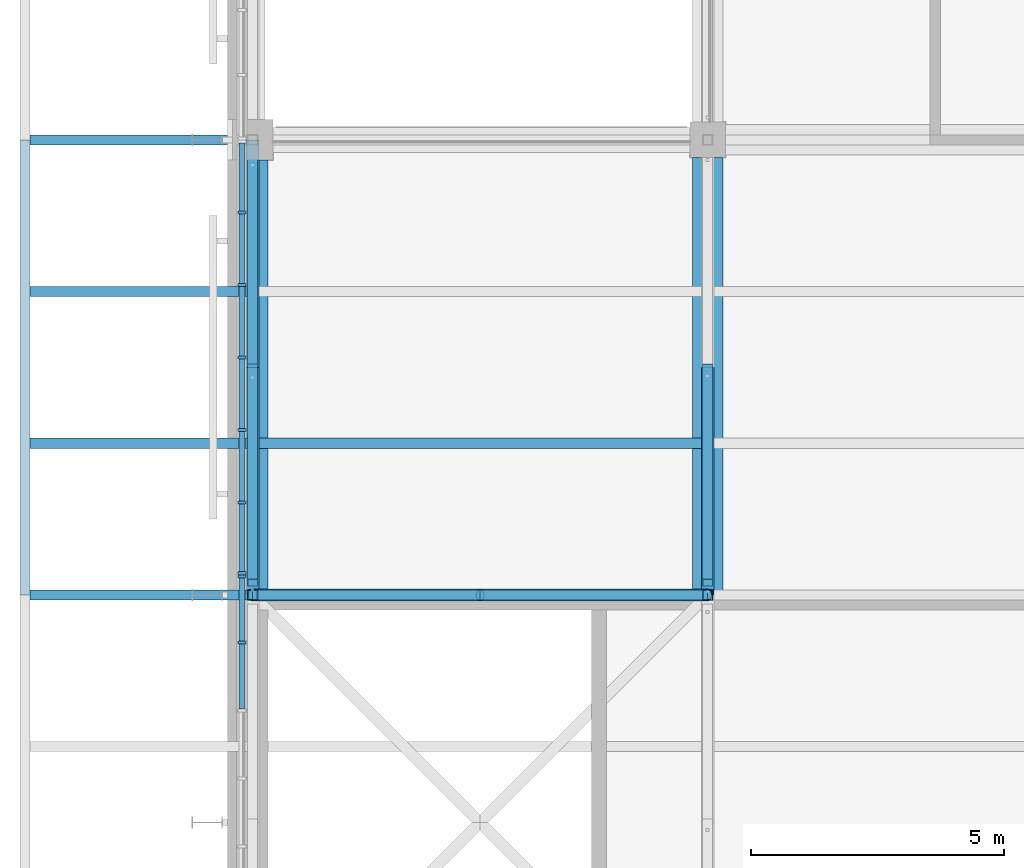
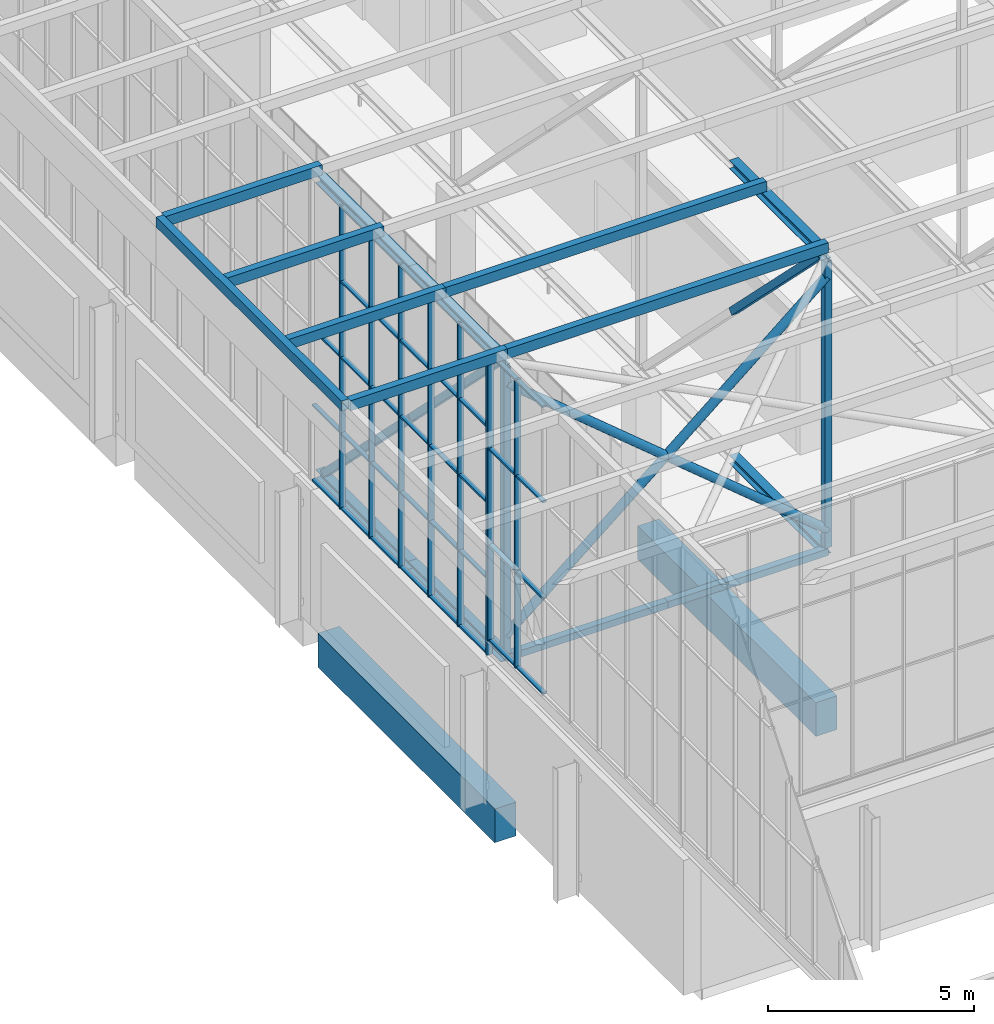
# One storey, part 13 of 646: 70 members, 2 beams, 2 elements without a shape of their own.
"""IFC4 building model written with IfcOpenShell, lengths in metres."""

from ifc_helpers import new_model, si_unit, direction, frame, origin, origin_2d, place, context, subcontext, project, spatial, rectangle, hollow_rectangle, hollow_circle, i_section, extrude, material, material_profile, profile_set, type_object, element, aggregate, save


model = new_model("IFC4")

# Units and contexts
model_context = context("Model", 3, precision=1e-05, world=origin(), true_north=direction((0.0, 1.0)))
body_context = subcontext(model_context, "Body", "Model", "MODEL_VIEW")
ifc_project = project(units=[si_unit("LENGTHUNIT", "METRE"), si_unit("AREAUNIT", "SQUARE_METRE"), si_unit("VOLUMEUNIT", "CUBIC_METRE"), si_unit("PLANEANGLEUNIT", "RADIAN"), si_unit("MASSUNIT", "GRAM", prefix="KILO")], contexts=[model_context])

# Site, building, storey
site_placement = place(None, origin())
site = spatial("IfcSite", under=ifc_project, at=site_placement, CompositionType="ELEMENT")
building_placement = place(site_placement, origin())
building = spatial("IfcBuilding", under=site, at=building_placement, Name="Silverbay Arena", CompositionType="ELEMENT")
storey_placement = place(building_placement, frame((0.0, 0.0, 33.5)))
storey = spatial("IfcBuildingStorey", under=building, at=storey_placement, Name="L05", CompositionType="ELEMENT", Elevation=33.5)

# Members
ifc_material_1 = material(Name="Steel S355", Category="steel")
ifc_material_profile_1 = material_profile(ifc_material_1, hollow_rectangle(XDim=0.199951171875, YDim=0.199951171875, WallThickness=0.008056640625, at=origin_2d()), Name="SHS 200x200x8")
ifc_profile_set_1 = profile_set([ifc_material_profile_1], Name="Steel S355")
member_type_1 = type_object("IfcMemberType", Name="Bracing strut SHS 200x200x8", PredefinedType="STRUT", material=ifc_profile_set_1)
for number, where, z_axis, x_axis, name in (
    (1, (54.0, 27.0, 4.126953125), (1.0, 0.0, 0.0), (0.0, 1.0, 0.0), "ROOF BRACING strut 7-8 line 03a"),
    (2, (58.5, 27.0, 4.126953125), (1.0, 0.0, 0.0), (0.0, 1.0, 0.0), "ROOF BRACING strut 7-8 line 03b"),
):
    element("IfcMember", number, at=place(storey_placement, frame(where, z_axis=z_axis, x_axis=x_axis)), inside=storey, type_object=member_type_1, Name=name, PredefinedType="STRUT", context=body_context, shape_type="SweptSolid", body=[
        extrude(hollow_rectangle(XDim=0.199951171875, YDim=0.199951171875, WallThickness=0.008056640625, at=origin_2d()), origin(), (0.0, 0.0, 1.0), 4.5),
    ])

# Curtain wall, members
ifc_material_2 = material(Name="Aluminium framed glazing", Category="aluminium")
curtain_wall_type_1 = type_object("IfcCurtainWallType", Name="Curtain wall clerestory 9400 x 8547", PredefinedType="NOTDEFINED", material=ifc_material_2)
curtain_wall_1_placement = place(storey_placement, origin())
curtain_wall_1 = element("IfcCurtainWall", 3, at=curtain_wall_1_placement, inside=storey, type_object=curtain_wall_type_1, Name="ROOF GABLE CLERESTORY CURTAIN WALL west bay 02", PredefinedType="NOTDEFINED")
ifc_material_3 = material(Name="Aluminium", Category="aluminium")
ifc_material_profile_2 = material_profile(ifc_material_3, rectangle(XDim=0.159912109375, YDim=0.06005859375, at=origin_2d()), Name="Mullion 60 x 160")
ifc_profile_set_2 = profile_set([ifc_material_profile_2], Name="Aluminium")
member_type_2 = type_object("IfcMemberType", Name="Mullion 60 x 160", PredefinedType="MULLION", material=ifc_profile_set_2)
member_1_placement = place(storey_placement, frame((53.7900390625, 26.05712890625, 4.453369140625), z_axis=(0.0, 0.0, 1.0), x_axis=(-1.0, 0.0, 0.0)))
member_1 = element("IfcMember", 4, at=member_1_placement, type_object=member_type_2, Name="CW58 mullion 7", PredefinedType="MULLION", context=body_context, shape_type="SweptSolid", body=[
    extrude(rectangle(XDim=0.159912109375, YDim=0.06005859375, at=origin_2d()), origin(), (0.0, 0.0, 1.0), 8.546630859375),
])
member_2_placement = place(storey_placement, frame((53.7900390625, 27.3701171875, 4.453369140625), z_axis=(0.0, 0.0, 1.0), x_axis=(-1.0, 0.0, 0.0)))
member_2 = element("IfcMember", 5, at=member_2_placement, type_object=member_type_2, Name="CW58 mullion 8", PredefinedType="MULLION", context=body_context, shape_type="SweptSolid", body=[
    extrude(rectangle(XDim=0.159912109375, YDim=0.06005859375, at=origin_2d()), origin(), (0.0, 0.0, 1.0), 8.546630859375),
])

ifc_material_4 = material(Name="Aluminium framed glazing", Category="aluminium")
curtain_wall_type_2 = type_object("IfcCurtainWallType", Name="Curtain wall clerestory 8600 x 9000", PredefinedType="NOTDEFINED", material=ifc_material_4)
curtain_wall_2_placement = place(storey_placement, origin())
curtain_wall_2 = element("IfcCurtainWall", 6, at=curtain_wall_2_placement, inside=storey, type_object=curtain_wall_type_2, Name="ROOF GABLE CLERESTORY CURTAIN WALL west bay 03", PredefinedType="NOTDEFINED")
member_3_placement = place(storey_placement, frame((53.7900390625, 27.429931640625, 4.0), z_axis=(0.0, 0.0, 1.0), x_axis=(-1.0, 0.0, 0.0)))
member_3 = element("IfcMember", 7, at=member_3_placement, type_object=member_type_2, Name="CW59 mullion 1", PredefinedType="MULLION", context=body_context, shape_type="SweptSolid", body=[
    extrude(rectangle(XDim=0.159912109375, YDim=0.06005859375, at=origin_2d()), origin(), (0.0, 0.0, 1.0), 9.0),
])
member_4_placement = place(storey_placement, frame((53.7900390625, 28.833251953125, 4.0), z_axis=(0.0, 0.0, 1.0), x_axis=(-1.0, 0.0, 0.0)))
member_4 = element("IfcMember", 8, at=member_4_placement, type_object=member_type_2, Name="CW59 mullion 2", PredefinedType="MULLION", context=body_context, shape_type="SweptSolid", body=[
    extrude(rectangle(XDim=0.159912109375, YDim=0.06005859375, at=origin_2d()), origin(), (0.0, 0.0, 1.0), 9.0),
])
member_5_placement = place(storey_placement, frame((53.7900390625, 30.2666015625, 4.0), z_axis=(0.0, 0.0, 1.0), x_axis=(-1.0, 0.0, 0.0)))
member_5 = element("IfcMember", 9, at=member_5_placement, type_object=member_type_2, Name="CW59 mullion 3", PredefinedType="MULLION", context=body_context, shape_type="SweptSolid", body=[
    extrude(rectangle(XDim=0.159912109375, YDim=0.06005859375, at=origin_2d()), origin(), (0.0, 0.0, 1.0), 9.0),
])
member_6_placement = place(storey_placement, frame((53.7900390625, 31.699951171875, 4.0), z_axis=(0.0, 0.0, 1.0), x_axis=(-1.0, 0.0, 0.0)))
member_6 = element("IfcMember", 10, at=member_6_placement, type_object=member_type_2, Name="CW59 mullion 4", PredefinedType="MULLION", context=body_context, shape_type="SweptSolid", body=[
    extrude(rectangle(XDim=0.159912109375, YDim=0.06005859375, at=origin_2d()), origin(), (0.0, 0.0, 1.0), 9.0),
])
member_7_placement = place(storey_placement, frame((53.7900390625, 33.13330078125, 4.0), z_axis=(0.0, 0.0, 1.0), x_axis=(-1.0, 0.0, 0.0)))
member_7 = element("IfcMember", 11, at=member_7_placement, type_object=member_type_2, Name="CW59 mullion 5", PredefinedType="MULLION", context=body_context, shape_type="SweptSolid", body=[
    extrude(rectangle(XDim=0.159912109375, YDim=0.06005859375, at=origin_2d()), origin(), (0.0, 0.0, 1.0), 9.0),
])
member_8_placement = place(storey_placement, frame((53.7900390625, 34.566650390625, 4.0), z_axis=(0.0, 0.0, 1.0), x_axis=(-1.0, 0.0, 0.0)))
member_8 = element("IfcMember", 12, at=member_8_placement, type_object=member_type_2, Name="CW59 mullion 6", PredefinedType="MULLION", context=body_context, shape_type="SweptSolid", body=[
    extrude(rectangle(XDim=0.159912109375, YDim=0.06005859375, at=origin_2d()), origin(), (0.0, 0.0, 1.0), 9.0),
])

# Members
ifc_material_5 = material(Name="Steel S355", Category="steel")
ifc_material_profile_3 = material_profile(ifc_material_5, hollow_rectangle(XDim=0.199951171875, YDim=0.300048828125, WallThickness=0.008056640625, at=origin_2d()), Name="RHS 300x200x8")
ifc_profile_set_3 = profile_set([ifc_material_profile_3], Name="Steel S355")
member_type_3 = type_object("IfcMemberType", Name="Purlin RHS 300x200x8", PredefinedType="PURLIN", material=ifc_profile_set_3)
for number, where, z_axis, x_axis, name in (
    (13, (54.0, 27.0, 13.14990234375), (1.0, 0.0, 0.0), (0.0, 1.0, 0.0), "ROOF PURLIN 7-8 line 07"),
    (14, (54.0, 30.0, 13.14990234375), (1.0, 0.0, 0.0), (0.0, 1.0, 0.0), "ROOF PURLIN 7-8 line 08"),
):
    element("IfcMember", number, at=place(storey_placement, frame(where, z_axis=z_axis, x_axis=x_axis)), inside=storey, type_object=member_type_3, Name=name, PredefinedType="PURLIN", context=body_context, shape_type="SweptSolid", body=[
        extrude(hollow_rectangle(XDim=0.199951171875, YDim=0.300048828125, WallThickness=0.008056640625, at=origin_2d()), origin(), (0.0, 0.0, 1.0), 9.0),
    ])
for number, where, z_axis, x_axis, name in (
    (15, (49.60009765625, 27.0, 13.14990234375), (1.0, 0.0, 0.0), (0.0, 1.0, 0.0), "ROOF PURLIN west eave line 07"),
    (16, (49.60009765625, 30.0, 13.14990234375), (1.0, 0.0, 0.0), (0.0, 1.0, 0.0), "ROOF PURLIN west eave line 08"),
    (17, (49.60009765625, 33.0, 13.14990234375), (1.0, 0.0, 0.0), (0.0, 1.0, 0.0), "ROOF PURLIN west eave line 09"),
    (18, (49.60009765625, 36.0, 13.14990234375), (1.0, 0.0, 0.0), (0.0, 1.0, 0.0), "ROOF PURLIN west eave line 10"),
):
    element("IfcMember", number, at=place(storey_placement, frame(where, z_axis=z_axis, x_axis=x_axis)), inside=storey, type_object=member_type_3, Name=name, PredefinedType="PURLIN", context=body_context, shape_type="SweptSolid", body=[
        extrude(hollow_rectangle(XDim=0.199951171875, YDim=0.300048828125, WallThickness=0.008056640625, at=origin_2d()), origin(), (0.0, 0.0, 1.0), 4.39990234375),
    ])
member_9_placement = place(storey_placement, frame((49.5, 27.0, 13.14990234375), z_axis=(0.0, 1.0, 0.0), x_axis=(-1.0, 0.0, 0.0)))
element("IfcMember", 19, at=member_9_placement, inside=storey, type_object=member_type_3, Name="ROOF PURLIN west eave edge 03", PredefinedType="PURLIN", context=body_context, shape_type="SweptSolid", body=[
    extrude(hollow_rectangle(XDim=0.199951171875, YDim=0.300048828125, WallThickness=0.008056640625, at=origin_2d()), origin(), (0.0, 0.0, 1.0), 9.0),
])

# Beams
ifc_material_6 = material(Name="Concrete Grade C45", Category="concrete")
ifc_material_profile_4 = material_profile(ifc_material_6, rectangle(XDim=0.60009765625, YDim=1.0, at=origin_2d()), Name="RC 600x1000")
ifc_profile_set_4 = profile_set([ifc_material_profile_4], Name="Concrete Grade C45")
beam_type = type_object("IfcBeamType", Name="RC beam 600x1000", PredefinedType="BEAM", material=ifc_profile_set_4)
beam_1_placement = place(storey_placement, frame((54.0, 27.0, -0.800048828125), z_axis=(0.0, 1.0, 0.0), x_axis=(-1.0, 0.0, 0.0)))
element("IfcBeam", 20, at=beam_1_placement, inside=storey, type_object=beam_type, Name="Floor beam L05 071", PredefinedType="BEAM", context=body_context, shape_type="SweptSolid", body=[
    extrude(rectangle(XDim=0.60009765625, YDim=1.0, at=origin_2d()), origin(), (0.0, 0.0, 1.0), 8.60009765625),
])
beam_2_placement = place(storey_placement, frame((63.0, 27.0, -0.800048828125), z_axis=(0.0, 1.0, 0.0), x_axis=(-1.0, 0.0, 0.0)))
element("IfcBeam", 21, at=beam_2_placement, inside=storey, type_object=beam_type, Name="Floor beam L05 079", PredefinedType="BEAM", context=body_context, shape_type="SweptSolid", body=[
    extrude(rectangle(XDim=0.60009765625, YDim=1.0, at=origin_2d()), origin(), (0.0, 0.0, 1.0), 8.64990234375),
])

# Members
ifc_material_7 = material(Name="Steel S355", Category="steel")
ifc_material_profile_5 = material_profile(ifc_material_7, i_section(OverallWidth=0.254638671875, OverallDepth=0.254150390625, WebThickness=0.008544921875, FlangeThickness=0.01416015625, at=origin_2d()), Name="UC 254x254x73")
ifc_profile_set_5 = profile_set([ifc_material_profile_5], Name="Steel S355")
member_type_4 = type_object("IfcMemberType", Name="Short-span bottom chord UC 254x254x73", PredefinedType="CHORD", material=ifc_profile_set_5)
for number, where, z_axis, x_axis, name in (
    (22, (54.0, 27.0, 4.126953125), (0.0, 1.0, 0.0), (-1.0, 0.0, 0.0), "ROOF TRUSS 7 bottom chord 03a"),
    (23, (54.0, 31.5, 4.126953125), (0.0, 1.0, 0.0), (-1.0, 0.0, 0.0), "ROOF TRUSS 7 bottom chord 03b"),
    (24, (63.0, 27.0, 4.126953125), (0.0, 1.0, 0.0), (-1.0, 0.0, 0.0), "ROOF TRUSS 8 bottom chord 03a"),
):
    element("IfcMember", number, at=place(storey_placement, frame(where, z_axis=z_axis, x_axis=x_axis)), inside=storey, type_object=member_type_4, Name=name, PredefinedType="CHORD", context=body_context, shape_type="SweptSolid", body=[
        extrude(i_section(OverallWidth=0.254638671875, OverallDepth=0.254150390625, WebThickness=0.008544921875, FlangeThickness=0.01416015625, at=origin_2d()), origin(), (0.0, 0.0, 1.0), 4.5),
    ])
ifc_material_8 = material(Name="Steel S355", Category="steel")
ifc_material_profile_6 = material_profile(ifc_material_8, i_section(OverallWidth=0.254638671875, OverallDepth=0.254150390625, WebThickness=0.008544921875, FlangeThickness=0.01416015625, at=origin_2d()), Name="UC 254x254x73")
ifc_profile_set_6 = profile_set([ifc_material_profile_6], Name="Steel S355")
member_type_5 = type_object("IfcMemberType", Name="Short-span top chord UC 254x254x73", PredefinedType="CHORD", material=ifc_profile_set_6)
for number, where, z_axis, x_axis, name in (
    (25, (54.0, 27.0, 12.873046875), (0.0, 1.0, 0.0), (-1.0, 0.0, 0.0), "ROOF TRUSS 7 top chord 03a"),
    (26, (54.0, 31.5, 12.873046875), (0.0, 1.0, 0.0), (-1.0, 0.0, 0.0), "ROOF TRUSS 7 top chord 03b"),
    (27, (63.0, 27.0, 12.873046875), (0.0, 1.0, 0.0), (-1.0, 0.0, 0.0), "ROOF TRUSS 8 top chord 03a"),
):
    element("IfcMember", number, at=place(storey_placement, frame(where, z_axis=z_axis, x_axis=x_axis)), inside=storey, type_object=member_type_5, Name=name, PredefinedType="CHORD", context=body_context, shape_type="SweptSolid", body=[
        extrude(i_section(OverallWidth=0.254638671875, OverallDepth=0.254150390625, WebThickness=0.008544921875, FlangeThickness=0.01416015625, at=origin_2d()), origin(), (0.0, 0.0, 1.0), 4.5),
    ])
ifc_material_9 = material(Name="Steel S355", Category="steel")
ifc_material_profile_7 = material_profile(ifc_material_9, hollow_rectangle(XDim=0.199951171875, YDim=0.199951171875, WallThickness=0.008056640625, at=origin_2d()), Name="SHS 200x200x8")
ifc_profile_set_7 = profile_set([ifc_material_profile_7], Name="Steel S355")
member_type_6 = type_object("IfcMemberType", Name="Short-span truss diagonal SHS 200x200x8", PredefinedType="BRACE", material=ifc_profile_set_7)
for number, where, z_axis, x_axis, name in (
    (28, (54.0, 27.24560546875, 12.745849609375), (0.0, 0.70781724692, -0.706395600894), (-1.0, 0.0, 0.0), "ROOF TRUSS 7 diagonal 03a"),
    (29, (54.0, 31.5, 8.5), (0.0, 0.70781724692, -0.706395600894), (-1.0, 0.0, 0.0), "ROOF TRUSS 7 diagonal 03b"),
    (30, (63.0, 27.24560546875, 12.745849609375), (0.0, 0.70781724692, -0.706395600894), (-1.0, 0.0, 0.0), "ROOF TRUSS 8 diagonal 03a"),
):
    element("IfcMember", number, at=place(storey_placement, frame(where, z_axis=z_axis, x_axis=x_axis)), inside=storey, type_object=member_type_6, Name=name, PredefinedType="BRACE", context=body_context, shape_type="SweptSolid", body=[
        extrude(hollow_rectangle(XDim=0.199951171875, YDim=0.199951171875, WallThickness=0.008056640625, at=origin_2d()), origin(), (0.0, 0.0, 1.0), 6.010498046875),
    ])
ifc_material_10 = material(Name="Steel S355", Category="steel")
ifc_material_profile_8 = material_profile(ifc_material_10, hollow_rectangle(XDim=0.199951171875, YDim=0.199951171875, WallThickness=0.008056640625, at=origin_2d()), Name="SHS 200x200x8")
ifc_profile_set_8 = profile_set([ifc_material_profile_8], Name="Steel S355")
member_type_7 = type_object("IfcMemberType", Name="Short-span truss vertical SHS 200x200x8", PredefinedType="STRUT", material=ifc_profile_set_8)
for number, where, z_axis, x_axis, name in (
    (31, (54.0, 27.0, 4.254150390625), (0.0, 0.0, 1.0), (1.0, 0.0, 0.0), "ROOF TRUSS 7 vertical 03a"),
    (32, (54.0, 27.0, 8.5), (0.0, 0.0, 1.0), (1.0, 0.0, 0.0), "ROOF TRUSS 7 vertical 03b"),
    (33, (63.0, 27.0, 4.254150390625), (0.0, 0.0, 1.0), (1.0, 0.0, 0.0), "ROOF TRUSS 8 vertical 03a"),
    (34, (63.0, 27.0, 8.5), (0.0, 0.0, 1.0), (1.0, 0.0, 0.0), "ROOF TRUSS 8 vertical 03b"),
):
    element("IfcMember", number, at=place(storey_placement, frame(where, z_axis=z_axis, x_axis=x_axis)), inside=storey, type_object=member_type_7, Name=name, PredefinedType="STRUT", context=body_context, shape_type="SweptSolid", body=[
        extrude(hollow_rectangle(XDim=0.199951171875, YDim=0.199951171875, WallThickness=0.008056640625, at=origin_2d()), origin(), (0.0, 0.0, 1.0), 4.245849609375),
    ])

# Member
ifc_material_11 = material(Name="Aluminium", Category="aluminium")
ifc_material_profile_9 = material_profile(ifc_material_11, rectangle(XDim=0.1201171875, YDim=0.050048828125, at=origin_2d()), Name="Transom 50 x 120")
ifc_profile_set_9 = profile_set([ifc_material_profile_9], Name="Aluminium")
member_type_8 = type_object("IfcMemberType", Name="Transom 50 x 120", PredefinedType="USERDEFINED", material=ifc_profile_set_9)
member_10_placement = place(storey_placement, frame((53.7900390625, 24.744384765625, 4.478515625), z_axis=(0.0, 1.0, 0.0), x_axis=(-1.0, 0.0, 0.0)))
member_10 = element("IfcMember", 35, at=member_10_placement, type_object=member_type_8, Name="CW58 transom 6.1", ObjectType="TRANSOM", PredefinedType="USERDEFINED", context=body_context, shape_type="SweptSolid", body=[
    extrude(rectangle(XDim=0.1201171875, YDim=0.050048828125, at=origin_2d()), origin(), (0.0, 0.0, 1.0), 1.28271484375),
])

member_11_placement = place(storey_placement, frame((53.7900390625, 24.744384765625, 7.30224609375), z_axis=(0.0, 1.0, 0.0), x_axis=(-1.0, 0.0, 0.0)))
member_11 = element("IfcMember", 36, at=member_11_placement, type_object=member_type_8, Name="CW58 transom 6.2", ObjectType="TRANSOM", PredefinedType="USERDEFINED", context=body_context, shape_type="SweptSolid", body=[
    extrude(rectangle(XDim=0.1201171875, YDim=0.050048828125, at=origin_2d()), origin(), (0.0, 0.0, 1.0), 1.28271484375),
])

member_12_placement = place(storey_placement, frame((53.7900390625, 24.744384765625, 10.151123046875), z_axis=(0.0, 1.0, 0.0), x_axis=(-1.0, 0.0, 0.0)))
member_12 = element("IfcMember", 37, at=member_12_placement, type_object=member_type_8, Name="CW58 transom 6.3", ObjectType="TRANSOM", PredefinedType="USERDEFINED", context=body_context, shape_type="SweptSolid", body=[
    extrude(rectangle(XDim=0.1201171875, YDim=0.050048828125, at=origin_2d()), origin(), (0.0, 0.0, 1.0), 1.28271484375),
])

member_13_placement = place(storey_placement, frame((53.7900390625, 24.744384765625, 12.97509765625), z_axis=(0.0, 1.0, 0.0), x_axis=(-1.0, 0.0, 0.0)))
member_13 = element("IfcMember", 38, at=member_13_placement, type_object=member_type_8, Name="CW58 transom 6.4", ObjectType="TRANSOM", PredefinedType="USERDEFINED", context=body_context, shape_type="SweptSolid", body=[
    extrude(rectangle(XDim=0.1201171875, YDim=0.050048828125, at=origin_2d()), origin(), (0.0, 0.0, 1.0), 1.28271484375),
])

member_14_placement = place(storey_placement, frame((53.7900390625, 26.087158203125, 4.478515625), z_axis=(0.0, 1.0, 0.0), x_axis=(-1.0, 0.0, 0.0)))
member_14 = element("IfcMember", 39, at=member_14_placement, type_object=member_type_8, Name="CW58 transom 7.1", ObjectType="TRANSOM", PredefinedType="USERDEFINED", context=body_context, shape_type="SweptSolid", body=[
    extrude(rectangle(XDim=0.1201171875, YDim=0.050048828125, at=origin_2d()), origin(), (0.0, 0.0, 1.0), 1.2529296875),
])

member_15_placement = place(storey_placement, frame((53.7900390625, 26.087158203125, 7.30224609375), z_axis=(0.0, 1.0, 0.0), x_axis=(-1.0, 0.0, 0.0)))
member_15 = element("IfcMember", 40, at=member_15_placement, type_object=member_type_8, Name="CW58 transom 7.2", ObjectType="TRANSOM", PredefinedType="USERDEFINED", context=body_context, shape_type="SweptSolid", body=[
    extrude(rectangle(XDim=0.1201171875, YDim=0.050048828125, at=origin_2d()), origin(), (0.0, 0.0, 1.0), 1.2529296875),
])

member_16_placement = place(storey_placement, frame((53.7900390625, 26.087158203125, 10.151123046875), z_axis=(0.0, 1.0, 0.0), x_axis=(-1.0, 0.0, 0.0)))
member_16 = element("IfcMember", 41, at=member_16_placement, type_object=member_type_8, Name="CW58 transom 7.3", ObjectType="TRANSOM", PredefinedType="USERDEFINED", context=body_context, shape_type="SweptSolid", body=[
    extrude(rectangle(XDim=0.1201171875, YDim=0.050048828125, at=origin_2d()), origin(), (0.0, 0.0, 1.0), 1.2529296875),
])

member_17_placement = place(storey_placement, frame((53.7900390625, 26.087158203125, 12.97509765625), z_axis=(0.0, 1.0, 0.0), x_axis=(-1.0, 0.0, 0.0)))
member_17 = element("IfcMember", 42, at=member_17_placement, type_object=member_type_8, Name="CW58 transom 7.4", ObjectType="TRANSOM", PredefinedType="USERDEFINED", context=body_context, shape_type="SweptSolid", body=[
    extrude(rectangle(XDim=0.1201171875, YDim=0.050048828125, at=origin_2d()), origin(), (0.0, 0.0, 1.0), 1.2529296875),
])

aggregate(curtain_wall_1, [member_1, member_2, member_10, member_11, member_12, member_13, member_14, member_15, member_16, member_17])

member_18_placement = place(storey_placement, frame((53.7900390625, 27.4599609375, 4.02490234375), z_axis=(0.0, 1.0, 0.0), x_axis=(-1.0, 0.0, 0.0)))
member_18 = element("IfcMember", 43, at=member_18_placement, type_object=member_type_8, Name="CW59 transom 1.1", ObjectType="TRANSOM", PredefinedType="USERDEFINED", context=body_context, shape_type="SweptSolid", body=[
    extrude(rectangle(XDim=0.1201171875, YDim=0.050048828125, at=origin_2d()), origin(), (0.0, 0.0, 1.0), 1.34326171875),
])

member_19_placement = place(storey_placement, frame((53.7900390625, 27.4599609375, 6.25), z_axis=(0.0, 1.0, 0.0), x_axis=(-1.0, 0.0, 0.0)))
member_19 = element("IfcMember", 44, at=member_19_placement, type_object=member_type_8, Name="CW59 transom 1.2", ObjectType="TRANSOM", PredefinedType="USERDEFINED", context=body_context, shape_type="SweptSolid", body=[
    extrude(rectangle(XDim=0.1201171875, YDim=0.050048828125, at=origin_2d()), origin(), (0.0, 0.0, 1.0), 1.34326171875),
])

member_20_placement = place(storey_placement, frame((53.7900390625, 27.4599609375, 8.5), z_axis=(0.0, 1.0, 0.0), x_axis=(-1.0, 0.0, 0.0)))
member_20 = element("IfcMember", 45, at=member_20_placement, type_object=member_type_8, Name="CW59 transom 1.3", ObjectType="TRANSOM", PredefinedType="USERDEFINED", context=body_context, shape_type="SweptSolid", body=[
    extrude(rectangle(XDim=0.1201171875, YDim=0.050048828125, at=origin_2d()), origin(), (0.0, 0.0, 1.0), 1.34326171875),
])

member_21_placement = place(storey_placement, frame((53.7900390625, 27.4599609375, 10.75), z_axis=(0.0, 1.0, 0.0), x_axis=(-1.0, 0.0, 0.0)))
member_21 = element("IfcMember", 46, at=member_21_placement, type_object=member_type_8, Name="CW59 transom 1.4", ObjectType="TRANSOM", PredefinedType="USERDEFINED", context=body_context, shape_type="SweptSolid", body=[
    extrude(rectangle(XDim=0.1201171875, YDim=0.050048828125, at=origin_2d()), origin(), (0.0, 0.0, 1.0), 1.34326171875),
])

member_22_placement = place(storey_placement, frame((53.7900390625, 27.4599609375, 12.97509765625), z_axis=(0.0, 1.0, 0.0), x_axis=(-1.0, 0.0, 0.0)))
member_22 = element("IfcMember", 47, at=member_22_placement, type_object=member_type_8, Name="CW59 transom 1.5", ObjectType="TRANSOM", PredefinedType="USERDEFINED", context=body_context, shape_type="SweptSolid", body=[
    extrude(rectangle(XDim=0.1201171875, YDim=0.050048828125, at=origin_2d()), origin(), (0.0, 0.0, 1.0), 1.34326171875),
])

member_23_placement = place(storey_placement, frame((53.7900390625, 28.86328125, 4.02490234375), z_axis=(0.0, 1.0, 0.0), x_axis=(-1.0, 0.0, 0.0)))
member_23 = element("IfcMember", 48, at=member_23_placement, type_object=member_type_8, Name="CW59 transom 2.1", ObjectType="TRANSOM", PredefinedType="USERDEFINED", context=body_context, shape_type="SweptSolid", body=[
    extrude(rectangle(XDim=0.1201171875, YDim=0.050048828125, at=origin_2d()), origin(), (0.0, 0.0, 1.0), 1.373291015625),
])

member_24_placement = place(storey_placement, frame((53.7900390625, 28.86328125, 6.25), z_axis=(0.0, 1.0, 0.0), x_axis=(-1.0, 0.0, 0.0)))
member_24 = element("IfcMember", 49, at=member_24_placement, type_object=member_type_8, Name="CW59 transom 2.2", ObjectType="TRANSOM", PredefinedType="USERDEFINED", context=body_context, shape_type="SweptSolid", body=[
    extrude(rectangle(XDim=0.1201171875, YDim=0.050048828125, at=origin_2d()), origin(), (0.0, 0.0, 1.0), 1.373291015625),
])

member_25_placement = place(storey_placement, frame((53.7900390625, 28.86328125, 8.5), z_axis=(0.0, 1.0, 0.0), x_axis=(-1.0, 0.0, 0.0)))
member_25 = element("IfcMember", 50, at=member_25_placement, type_object=member_type_8, Name="CW59 transom 2.3", ObjectType="TRANSOM", PredefinedType="USERDEFINED", context=body_context, shape_type="SweptSolid", body=[
    extrude(rectangle(XDim=0.1201171875, YDim=0.050048828125, at=origin_2d()), origin(), (0.0, 0.0, 1.0), 1.373291015625),
])

member_26_placement = place(storey_placement, frame((53.7900390625, 28.86328125, 10.75), z_axis=(0.0, 1.0, 0.0), x_axis=(-1.0, 0.0, 0.0)))
member_26 = element("IfcMember", 51, at=member_26_placement, type_object=member_type_8, Name="CW59 transom 2.4", ObjectType="TRANSOM", PredefinedType="USERDEFINED", context=body_context, shape_type="SweptSolid", body=[
    extrude(rectangle(XDim=0.1201171875, YDim=0.050048828125, at=origin_2d()), origin(), (0.0, 0.0, 1.0), 1.373291015625),
])

member_27_placement = place(storey_placement, frame((53.7900390625, 28.86328125, 12.97509765625), z_axis=(0.0, 1.0, 0.0), x_axis=(-1.0, 0.0, 0.0)))
member_27 = element("IfcMember", 52, at=member_27_placement, type_object=member_type_8, Name="CW59 transom 2.5", ObjectType="TRANSOM", PredefinedType="USERDEFINED", context=body_context, shape_type="SweptSolid", body=[
    extrude(rectangle(XDim=0.1201171875, YDim=0.050048828125, at=origin_2d()), origin(), (0.0, 0.0, 1.0), 1.373291015625),
])

member_28_placement = place(storey_placement, frame((53.7900390625, 30.296630859375, 4.02490234375), z_axis=(0.0, 1.0, 0.0), x_axis=(-1.0, 0.0, 0.0)))
member_28 = element("IfcMember", 53, at=member_28_placement, type_object=member_type_8, Name="CW59 transom 3.1", ObjectType="TRANSOM", PredefinedType="USERDEFINED", context=body_context, shape_type="SweptSolid", body=[
    extrude(rectangle(XDim=0.1201171875, YDim=0.050048828125, at=origin_2d()), origin(), (0.0, 0.0, 1.0), 1.373291015625),
])

member_29_placement = place(storey_placement, frame((53.7900390625, 30.296630859375, 6.25), z_axis=(0.0, 1.0, 0.0), x_axis=(-1.0, 0.0, 0.0)))
member_29 = element("IfcMember", 54, at=member_29_placement, type_object=member_type_8, Name="CW59 transom 3.2", ObjectType="TRANSOM", PredefinedType="USERDEFINED", context=body_context, shape_type="SweptSolid", body=[
    extrude(rectangle(XDim=0.1201171875, YDim=0.050048828125, at=origin_2d()), origin(), (0.0, 0.0, 1.0), 1.373291015625),
])

member_30_placement = place(storey_placement, frame((53.7900390625, 30.296630859375, 8.5), z_axis=(0.0, 1.0, 0.0), x_axis=(-1.0, 0.0, 0.0)))
member_30 = element("IfcMember", 55, at=member_30_placement, type_object=member_type_8, Name="CW59 transom 3.3", ObjectType="TRANSOM", PredefinedType="USERDEFINED", context=body_context, shape_type="SweptSolid", body=[
    extrude(rectangle(XDim=0.1201171875, YDim=0.050048828125, at=origin_2d()), origin(), (0.0, 0.0, 1.0), 1.373291015625),
])

member_31_placement = place(storey_placement, frame((53.7900390625, 30.296630859375, 10.75), z_axis=(0.0, 1.0, 0.0), x_axis=(-1.0, 0.0, 0.0)))
member_31 = element("IfcMember", 56, at=member_31_placement, type_object=member_type_8, Name="CW59 transom 3.4", ObjectType="TRANSOM", PredefinedType="USERDEFINED", context=body_context, shape_type="SweptSolid", body=[
    extrude(rectangle(XDim=0.1201171875, YDim=0.050048828125, at=origin_2d()), origin(), (0.0, 0.0, 1.0), 1.373291015625),
])

member_32_placement = place(storey_placement, frame((53.7900390625, 30.296630859375, 12.97509765625), z_axis=(0.0, 1.0, 0.0), x_axis=(-1.0, 0.0, 0.0)))
member_32 = element("IfcMember", 57, at=member_32_placement, type_object=member_type_8, Name="CW59 transom 3.5", ObjectType="TRANSOM", PredefinedType="USERDEFINED", context=body_context, shape_type="SweptSolid", body=[
    extrude(rectangle(XDim=0.1201171875, YDim=0.050048828125, at=origin_2d()), origin(), (0.0, 0.0, 1.0), 1.373291015625),
])

member_33_placement = place(storey_placement, frame((53.7900390625, 31.72998046875, 4.02490234375), z_axis=(0.0, 1.0, 0.0), x_axis=(-1.0, 0.0, 0.0)))
member_33 = element("IfcMember", 58, at=member_33_placement, type_object=member_type_8, Name="CW59 transom 4.1", ObjectType="TRANSOM", PredefinedType="USERDEFINED", context=body_context, shape_type="SweptSolid", body=[
    extrude(rectangle(XDim=0.1201171875, YDim=0.050048828125, at=origin_2d()), origin(), (0.0, 0.0, 1.0), 1.373291015625),
])

member_34_placement = place(storey_placement, frame((53.7900390625, 31.72998046875, 6.25), z_axis=(0.0, 1.0, 0.0), x_axis=(-1.0, 0.0, 0.0)))
member_34 = element("IfcMember", 59, at=member_34_placement, type_object=member_type_8, Name="CW59 transom 4.2", ObjectType="TRANSOM", PredefinedType="USERDEFINED", context=body_context, shape_type="SweptSolid", body=[
    extrude(rectangle(XDim=0.1201171875, YDim=0.050048828125, at=origin_2d()), origin(), (0.0, 0.0, 1.0), 1.373291015625),
])

member_35_placement = place(storey_placement, frame((53.7900390625, 31.72998046875, 8.5), z_axis=(0.0, 1.0, 0.0), x_axis=(-1.0, 0.0, 0.0)))
member_35 = element("IfcMember", 60, at=member_35_placement, type_object=member_type_8, Name="CW59 transom 4.3", ObjectType="TRANSOM", PredefinedType="USERDEFINED", context=body_context, shape_type="SweptSolid", body=[
    extrude(rectangle(XDim=0.1201171875, YDim=0.050048828125, at=origin_2d()), origin(), (0.0, 0.0, 1.0), 1.373291015625),
])

member_36_placement = place(storey_placement, frame((53.7900390625, 31.72998046875, 10.75), z_axis=(0.0, 1.0, 0.0), x_axis=(-1.0, 0.0, 0.0)))
member_36 = element("IfcMember", 61, at=member_36_placement, type_object=member_type_8, Name="CW59 transom 4.4", ObjectType="TRANSOM", PredefinedType="USERDEFINED", context=body_context, shape_type="SweptSolid", body=[
    extrude(rectangle(XDim=0.1201171875, YDim=0.050048828125, at=origin_2d()), origin(), (0.0, 0.0, 1.0), 1.373291015625),
])

member_37_placement = place(storey_placement, frame((53.7900390625, 31.72998046875, 12.97509765625), z_axis=(0.0, 1.0, 0.0), x_axis=(-1.0, 0.0, 0.0)))
member_37 = element("IfcMember", 62, at=member_37_placement, type_object=member_type_8, Name="CW59 transom 4.5", ObjectType="TRANSOM", PredefinedType="USERDEFINED", context=body_context, shape_type="SweptSolid", body=[
    extrude(rectangle(XDim=0.1201171875, YDim=0.050048828125, at=origin_2d()), origin(), (0.0, 0.0, 1.0), 1.373291015625),
])

member_38_placement = place(storey_placement, frame((53.7900390625, 33.163330078125, 4.02490234375), z_axis=(0.0, 1.0, 0.0), x_axis=(-1.0, 0.0, 0.0)))
member_38 = element("IfcMember", 63, at=member_38_placement, type_object=member_type_8, Name="CW59 transom 5.1", ObjectType="TRANSOM", PredefinedType="USERDEFINED", context=body_context, shape_type="SweptSolid", body=[
    extrude(rectangle(XDim=0.1201171875, YDim=0.050048828125, at=origin_2d()), origin(), (0.0, 0.0, 1.0), 1.373291015625),
])

member_39_placement = place(storey_placement, frame((53.7900390625, 33.163330078125, 6.25), z_axis=(0.0, 1.0, 0.0), x_axis=(-1.0, 0.0, 0.0)))
member_39 = element("IfcMember", 64, at=member_39_placement, type_object=member_type_8, Name="CW59 transom 5.2", ObjectType="TRANSOM", PredefinedType="USERDEFINED", context=body_context, shape_type="SweptSolid", body=[
    extrude(rectangle(XDim=0.1201171875, YDim=0.050048828125, at=origin_2d()), origin(), (0.0, 0.0, 1.0), 1.373291015625),
])

member_40_placement = place(storey_placement, frame((53.7900390625, 33.163330078125, 8.5), z_axis=(0.0, 1.0, 0.0), x_axis=(-1.0, 0.0, 0.0)))
member_40 = element("IfcMember", 65, at=member_40_placement, type_object=member_type_8, Name="CW59 transom 5.3", ObjectType="TRANSOM", PredefinedType="USERDEFINED", context=body_context, shape_type="SweptSolid", body=[
    extrude(rectangle(XDim=0.1201171875, YDim=0.050048828125, at=origin_2d()), origin(), (0.0, 0.0, 1.0), 1.373291015625),
])

member_41_placement = place(storey_placement, frame((53.7900390625, 33.163330078125, 10.75), z_axis=(0.0, 1.0, 0.0), x_axis=(-1.0, 0.0, 0.0)))
member_41 = element("IfcMember", 66, at=member_41_placement, type_object=member_type_8, Name="CW59 transom 5.4", ObjectType="TRANSOM", PredefinedType="USERDEFINED", context=body_context, shape_type="SweptSolid", body=[
    extrude(rectangle(XDim=0.1201171875, YDim=0.050048828125, at=origin_2d()), origin(), (0.0, 0.0, 1.0), 1.373291015625),
])

member_42_placement = place(storey_placement, frame((53.7900390625, 33.163330078125, 12.97509765625), z_axis=(0.0, 1.0, 0.0), x_axis=(-1.0, 0.0, 0.0)))
member_42 = element("IfcMember", 67, at=member_42_placement, type_object=member_type_8, Name="CW59 transom 5.5", ObjectType="TRANSOM", PredefinedType="USERDEFINED", context=body_context, shape_type="SweptSolid", body=[
    extrude(rectangle(XDim=0.1201171875, YDim=0.050048828125, at=origin_2d()), origin(), (0.0, 0.0, 1.0), 1.373291015625),
])

member_43_placement = place(storey_placement, frame((53.7900390625, 34.5966796875, 4.02490234375), z_axis=(0.0, 1.0, 0.0), x_axis=(-1.0, 0.0, 0.0)))
member_43 = element("IfcMember", 68, at=member_43_placement, type_object=member_type_8, Name="CW59 transom 6.1", ObjectType="TRANSOM", PredefinedType="USERDEFINED", context=body_context, shape_type="SweptSolid", body=[
    extrude(rectangle(XDim=0.1201171875, YDim=0.050048828125, at=origin_2d()), origin(), (0.0, 0.0, 1.0), 1.34326171875),
])

member_44_placement = place(storey_placement, frame((53.7900390625, 34.5966796875, 6.25), z_axis=(0.0, 1.0, 0.0), x_axis=(-1.0, 0.0, 0.0)))
member_44 = element("IfcMember", 69, at=member_44_placement, type_object=member_type_8, Name="CW59 transom 6.2", ObjectType="TRANSOM", PredefinedType="USERDEFINED", context=body_context, shape_type="SweptSolid", body=[
    extrude(rectangle(XDim=0.1201171875, YDim=0.050048828125, at=origin_2d()), origin(), (0.0, 0.0, 1.0), 1.34326171875),
])

member_45_placement = place(storey_placement, frame((53.7900390625, 34.5966796875, 8.5), z_axis=(0.0, 1.0, 0.0), x_axis=(-1.0, 0.0, 0.0)))
member_45 = element("IfcMember", 70, at=member_45_placement, type_object=member_type_8, Name="CW59 transom 6.3", ObjectType="TRANSOM", PredefinedType="USERDEFINED", context=body_context, shape_type="SweptSolid", body=[
    extrude(rectangle(XDim=0.1201171875, YDim=0.050048828125, at=origin_2d()), origin(), (0.0, 0.0, 1.0), 1.34326171875),
])

aggregate(curtain_wall_2, [member_3, member_4, member_5, member_6, member_7, member_8, member_18, member_19, member_20, member_21, member_22, member_23, member_24, member_25, member_26, member_27, member_28, member_29, member_30, member_31, member_32, member_33, member_34, member_35, member_36, member_37, member_38, member_39, member_40, member_41, member_42, member_43, member_44, member_45])

# Members
ifc_material_12 = material(Name="Steel S355", Category="steel")
ifc_material_profile_10 = material_profile(ifc_material_12, hollow_circle(Radius=0.122314453125, WallThickness=0.00634765625, at=origin_2d()), Name="CHS 244.5x6.3")
ifc_profile_set_10 = profile_set([ifc_material_profile_10], Name="Steel S355")
member_type_9 = type_object("IfcMemberType", Name="Vertical bracing CHS 244.5x6.3", PredefinedType="BRACE", material=ifc_profile_set_10)
for number, where, z_axis, x_axis, name in (
    (71, (54.0, 27.0, 4.754150390625), (0.768569784798, 0.0, 0.639765961814), (0.0, 1.0, 0.0), "ROOF BRACING vertical 7-8 line 03 Aa"),
    (72, (58.5, 27.0, 8.5), (0.768569784798, 0.0, 0.639765961814), (0.0, 1.0, 0.0), "ROOF BRACING vertical 7-8 line 03 Ab"),
    (73, (54.0, 27.0, 12.245849609375), (0.768569784798, 0.0, -0.639765961814), (0.0, 1.0, 0.0), "ROOF BRACING vertical 7-8 line 03 Ba"),
    (74, (58.5, 27.0, 8.5), (0.768569784798, 0.0, -0.639765961814), (0.0, 1.0, 0.0), "ROOF BRACING vertical 7-8 line 03 Bb"),
):
    element("IfcMember", number, at=place(storey_placement, frame(where, z_axis=z_axis, x_axis=x_axis)), inside=storey, type_object=member_type_9, Name=name, PredefinedType="BRACE", context=body_context, shape_type="SweptSolid", body=[
        extrude(hollow_circle(Radius=0.122314453125, WallThickness=0.00634765625, at=origin_2d()), origin(), (0.0, 0.0, 1.0), 5.85498046875),
    ])

save(model, "model.ifc")
